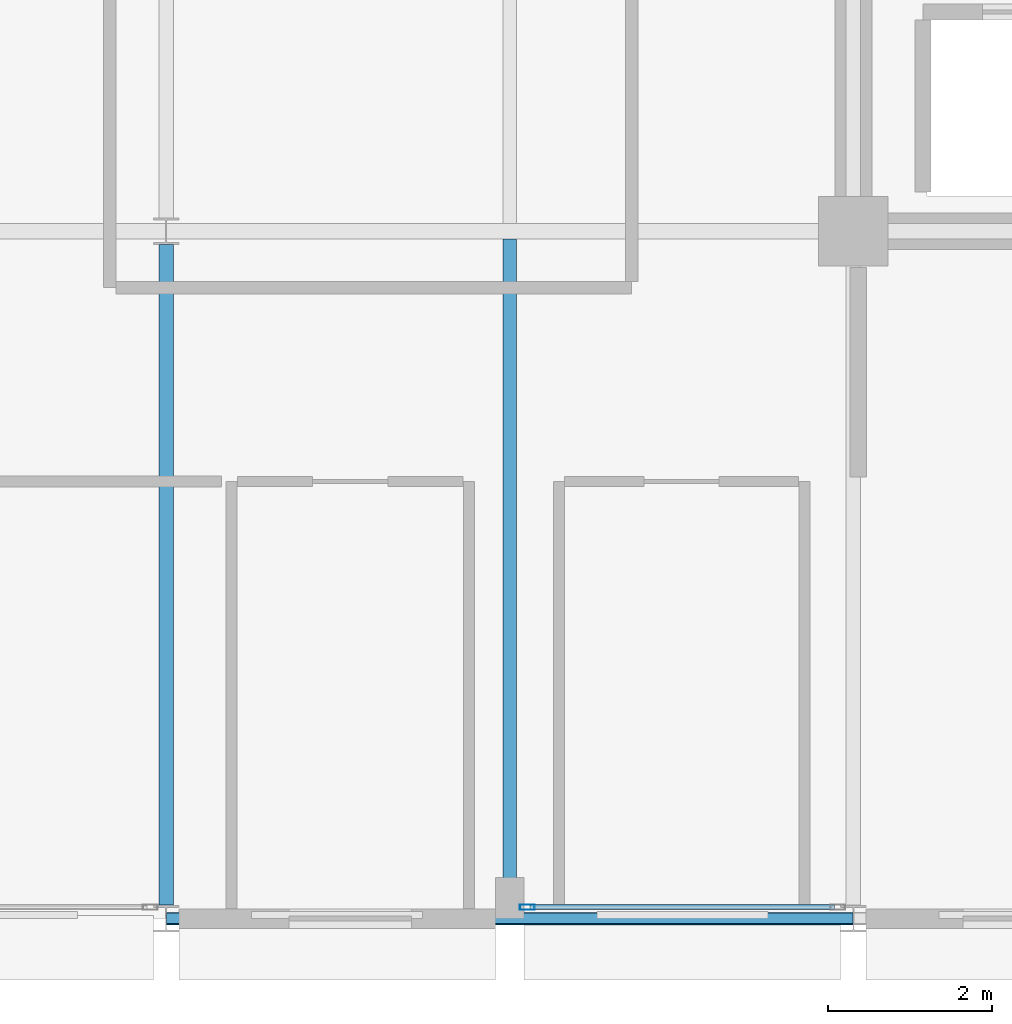
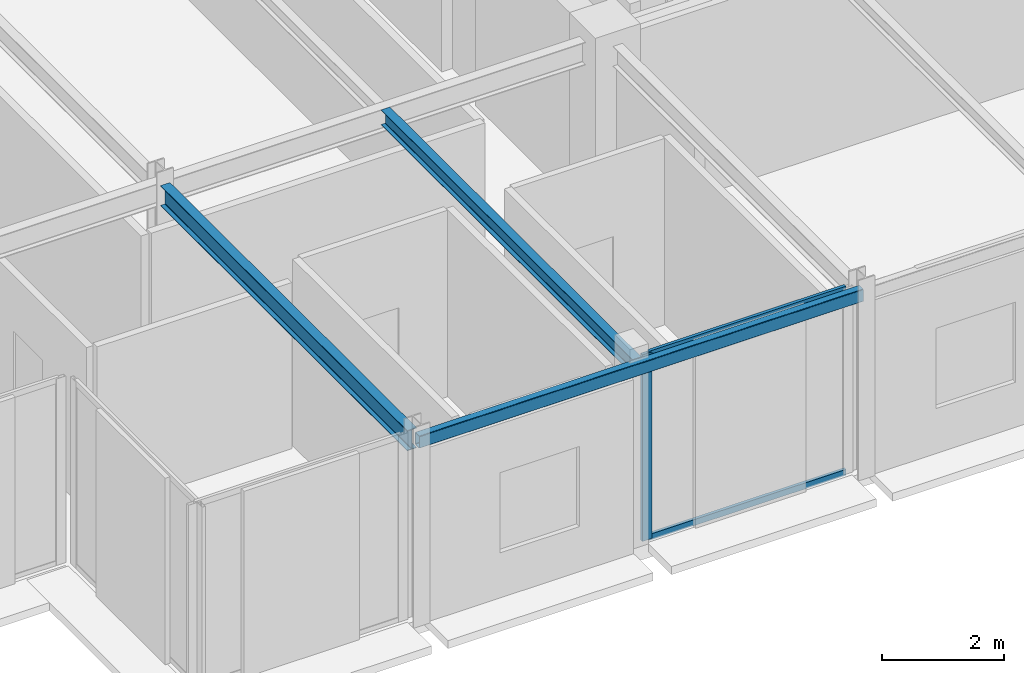
# One storey, part 4 of 27: 3 beams, 3 members, 1 element without a shape of its own.
"""IFC4 building model written with IfcOpenShell, lengths in metres."""

from ifc_helpers import new_model, si_unit, direction, frame, origin, origin_2d, place, context, subcontext, project, spatial, hollow_rectangle, i_section, extrude, material, layer, layer_set, material_profile, profile_set, type_object, element, aggregate, save


model = new_model("IFC4")

# Units and contexts
model_context = context("Model", 3, precision=1e-05, world=origin(), true_north=direction((0.0, 1.0)))
body_context = subcontext(model_context, "Body", "Model", "MODEL_VIEW")
ifc_project = project(units=[si_unit("LENGTHUNIT", "METRE"), si_unit("AREAUNIT", "SQUARE_METRE"), si_unit("VOLUMEUNIT", "CUBIC_METRE"), si_unit("PLANEANGLEUNIT", "RADIAN"), si_unit("MASSUNIT", "GRAM", prefix="KILO")], contexts=[model_context])

# Site, building, storey
site_placement = place(None, origin())
site = spatial("IfcSite", under=ifc_project, at=site_placement, CompositionType="ELEMENT")
building_placement = place(site_placement, origin())
building = spatial("IfcBuilding", under=site, at=building_placement, Name="Nerrivon Quay Data Exchange", CompositionType="ELEMENT")
storey_placement = place(building_placement, frame((0.0, 0.0, 278.199951171875)))
storey = spatial("IfcBuildingStorey", under=building, at=storey_placement, Name="L66", CompositionType="ELEMENT", Elevation=278.199951171875)

# Beams
ifc_material_1 = material(Name="Steel Grade 350", Category="steel")
ifc_material_profile_1 = material_profile(ifc_material_1, i_section(OverallWidth=0.177978515625, OverallDepth=0.406005859375, WebThickness=0.0078125, FlangeThickness=0.0126953125, FilletRadius=0.011474609375, at=origin_2d()), Name="410UB59.7")
ifc_profile_set_1 = profile_set([ifc_material_profile_1], Name="Steel Grade 350")
beam_type_1 = type_object("IfcBeamType", Name="BM-J1-410UB60", PredefinedType="JOIST", material=ifc_profile_set_1)
beam_1_placement = place(storey_placement, frame((8.39990234375, 0.16357421875, 3.52197265625), z_axis=(0.0, 1.0, 0.0), x_axis=(-1.0, 0.0, 0.0)))
element("IfcBeam", 1, at=beam_1_placement, inside=storey, type_object=beam_type_1, Name="L66 NS Girder X=8.4 (0.0..8.4)", PredefinedType="JOIST", context=body_context, shape_type="SweptSolid", body=[
    extrude(i_section(OverallWidth=0.177978515625, OverallDepth=0.406005859375, WebThickness=0.0078125, FlangeThickness=0.0126953125, FilletRadius=0.011474609375, at=origin_2d()), origin(), (0.0, 0.0, 1.0), 8.072998046875),
])
ifc_material_profile_2 = material_profile(ifc_material_1, i_section(OverallWidth=0.1650390625, OverallDepth=0.303955078125, WebThickness=0.006103515625, FlangeThickness=0.01025390625, FilletRadius=0.011474609375, at=origin_2d()), Name="310UB40.4")
ifc_profile_set_2 = profile_set([ifc_material_profile_2], Name="Steel Grade 350")
beam_type_2 = type_object("IfcBeamType", Name="BM-J6-310UB40", PredefinedType="JOIST", material=ifc_profile_set_2)
beam_2_placement = place(storey_placement, frame((12.60009765625, 0.074951171875, 3.572998046875), z_axis=(0.0, 1.0, 0.0), x_axis=(-1.0, 0.0, 0.0)))
element("IfcBeam", 2, at=beam_2_placement, inside=storey, type_object=beam_type_2, Name="L66 Secondary Joist X=12.6 (0.0..8.4)", PredefinedType="JOIST", context=body_context, shape_type="SweptSolid", body=[
    extrude(i_section(OverallWidth=0.1650390625, OverallDepth=0.303955078125, WebThickness=0.006103515625, FlangeThickness=0.01025390625, FilletRadius=0.011474609375, at=origin_2d()), origin(), (0.0, 0.0, 1.0), 8.22998046875),
])
ifc_material_2 = material(Name="Steel Grade C350L0 (350 MPa)", Category="steel")
ifc_material_profile_3 = material_profile(ifc_material_2, hollow_rectangle(XDim=0.14990234375, YDim=0.25, WallThickness=0.009033203125, InnerFilletRadius=0.013427734375, OuterFilletRadius=0.0224609375, at=origin_2d()), Name="250x150x9.0RHS")
ifc_profile_set_3 = profile_set([ifc_material_profile_3], Name="Steel Grade C350L0 (350 MPa)")
beam_type_3 = type_object("IfcBeamType", Name="BM-SP4-250x150RHS", PredefinedType="SPANDREL", material=ifc_profile_set_3)
beam_3_placement = place(storey_placement, frame((8.40771484375, 0.0, 3.60009765625), z_axis=(1.0, 0.0, 0.0), x_axis=(0.0, 1.0, 0.0)))
element("IfcBeam", 3, at=beam_3_placement, inside=storey, type_object=beam_type_3, Name="L66 EW Girder Y=0.0 (8.4..16.8)", PredefinedType="SPANDREL", context=body_context, shape_type="SweptSolid", body=[
    extrude(hollow_rectangle(XDim=0.14990234375, YDim=0.25, WallThickness=0.009033203125, InnerFilletRadius=0.013427734375, OuterFilletRadius=0.0224609375, at=origin_2d()), origin(), (0.0, 0.0, 1.0), 8.38427734375),
])

# Curtain wall, members
ifc_material_3 = material(Name="Anodised aluminium 6063-T6", Category="aluminium")
ifc_layer = layer(ifc_material_3, 0.195068359375)
ifc_layer_set = layer_set([ifc_layer], Name="Anodised aluminium 6063-T6")
curtain_wall_type = type_object("IfcCurtainWallType", Name="CW-SYS-06", PredefinedType="NOTDEFINED", material=ifc_layer_set)
curtain_wall_placement = place(storey_placement, origin())
curtain_wall = element("IfcCurtainWall", 4, at=curtain_wall_placement, inside=storey, type_object=curtain_wall_type, Name="L66 Unitised Curtain Wall 6", PredefinedType="NOTDEFINED")
ifc_material_profile_4 = material_profile(ifc_material_3, hollow_rectangle(XDim=0.06494140625, YDim=0.179931640625, WallThickness=0.00341796875, at=origin_2d()), Name="ALU-MULL-180x65")
ifc_profile_set_4 = profile_set([ifc_material_profile_4], Name="Anodised aluminium 6063-T6")
member_type_1 = type_object("IfcMemberType", Name="CWM-180x65", PredefinedType="MULLION", material=ifc_profile_set_4)
member_1_placement = place(storey_placement, frame((12.8125, 0.139892578125, 0.0), z_axis=(0.0, 0.0, 1.0), x_axis=(0.0, -1.0, 0.0)))
member_1 = element("IfcMember", 5, at=member_1_placement, type_object=member_type_1, Name="CW06 mullion 2", PredefinedType="MULLION", context=body_context, shape_type="SweptSolid", body=[
    extrude(hollow_rectangle(XDim=0.06494140625, YDim=0.179931640625, WallThickness=0.00341796875, at=origin_2d()), origin(), (0.0, 0.0, 1.0), 3.72509765625),
])
ifc_material_profile_5 = material_profile(ifc_material_3, hollow_rectangle(XDim=0.06005859375, YDim=0.1201171875, WallThickness=0.003173828125, at=origin_2d()), Name="ALU-TRAN-120x60")
ifc_profile_set_5 = profile_set([ifc_material_profile_5], Name="Anodised aluminium 6063-T6")
member_type_2 = type_object("IfcMemberType", Name="CWT-120x60", PredefinedType="USERDEFINED", material=ifc_profile_set_5)
member_2_placement = place(storey_placement, frame((16.569580078125, 0.139892578125, 0.032470703125), z_axis=(-1.0, 0.0, 0.0), x_axis=(0.0, -1.0, 0.0)))
member_2 = element("IfcMember", 6, at=member_2_placement, type_object=member_type_2, Name="CW06 transom 1.1", ObjectType="TRANSOM", PredefinedType="USERDEFINED", context=body_context, shape_type="SweptSolid", body=[
    extrude(hollow_rectangle(XDim=0.06005859375, YDim=0.1201171875, WallThickness=0.003173828125, at=origin_2d()), origin(), (0.0, 0.0, 1.0), 3.719482421875),
])
member_3_placement = place(storey_placement, frame((16.569580078125, 0.139892578125, 3.692626953125), z_axis=(-1.0, 0.0, 0.0), x_axis=(0.0, -1.0, 0.0)))
member_3 = element("IfcMember", 7, at=member_3_placement, type_object=member_type_2, Name="CW06 transom 1.2", ObjectType="TRANSOM", PredefinedType="USERDEFINED", context=body_context, shape_type="SweptSolid", body=[
    extrude(hollow_rectangle(XDim=0.06005859375, YDim=0.1201171875, WallThickness=0.003173828125, at=origin_2d()), origin(), (0.0, 0.0, 1.0), 3.719482421875),
])
aggregate(curtain_wall, [member_1, member_2, member_3])

save(model, "model.ifc")
